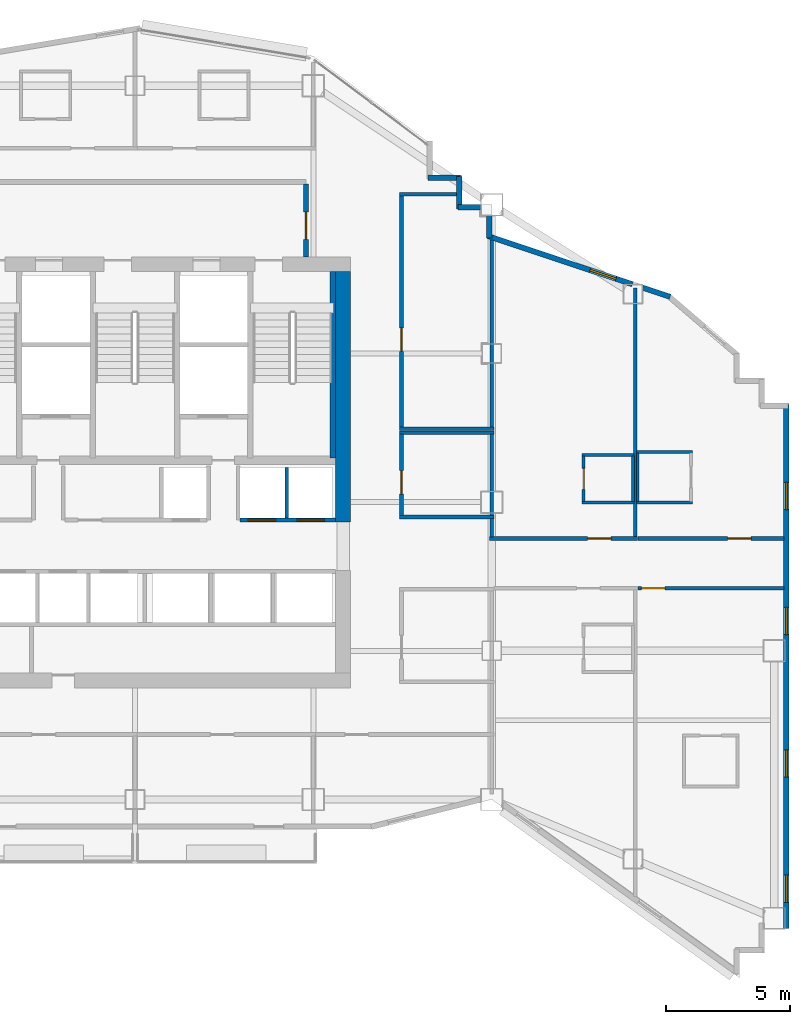
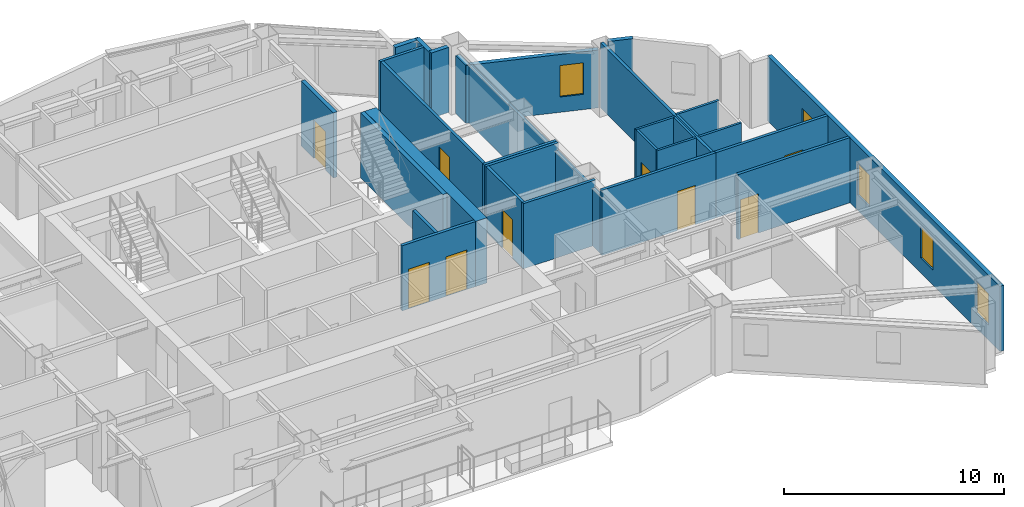
# One storey, part 8 of 12: 32 walls, 9 doors, 5 windows, 14 openings.
"""IFC4 building model written with IfcOpenShell, lengths in metres."""

from ifc_helpers import new_model, si_unit, direction, frame, frame_2d, origin, place, context, subcontext, project, spatial, rectangle, extrude, material, layer, layer_set, type_object, element, fill, save


model = new_model("IFC4")

# Units and contexts
model_context = context("Model", 3, precision=1e-05, world=origin(), true_north=direction((0.0, 1.0)))
body_context = subcontext(model_context, "Body", "Model", "MODEL_VIEW")
ifc_project = project(units=[si_unit("LENGTHUNIT", "METRE"), si_unit("AREAUNIT", "SQUARE_METRE"), si_unit("VOLUMEUNIT", "CUBIC_METRE"), si_unit("PLANEANGLEUNIT", "RADIAN"), si_unit("MASSUNIT", "GRAM", prefix="KILO")], contexts=[model_context])

# Site, building, storey
site_placement = place(None, origin())
site = spatial("IfcSite", under=ifc_project, at=site_placement, CompositionType="ELEMENT")
building_placement = place(site_placement, origin())
building = spatial("IfcBuilding", under=site, at=building_placement, Name="Haolan Belvedere Tower", CompositionType="ELEMENT")
storey_placement = place(building_placement, frame((0.0, 0.0, 169.0)))
storey = spatial("IfcBuildingStorey", under=building, at=storey_placement, Name="L42", CompositionType="ELEMENT", Elevation=169.0)

# Wall
ifc_material_1 = material(Name="Concrete C60/75", Category="concrete")
ifc_layer_1 = layer(ifc_material_1, 0.60009765625, Name="Concrete C60/75")
ifc_layer_set_1 = layer_set([ifc_layer_1], Name="Concrete C60/75")
wall_type_1 = type_object("IfcWallType", Name="WL-CORE-600", PredefinedType="SHEAR", material=ifc_layer_set_1)
wall_1_placement = place(storey_placement, frame((46.800048828125, 32.800048828125, 0.0), z_axis=(0.0, 0.0, 1.0), x_axis=(0.0, 1.0, 0.0)))
element("IfcWall", 1, at=wall_1_placement, inside=storey, type_object=wall_type_1, Name="L42 central core shear wall EN", PredefinedType="SHEAR", context=body_context, shape_type="SweptSolid", body=[
    extrude(rectangle(XDim=10.099853515625, YDim=0.60009765625, at=frame_2d((5.0498046875, 0.0))), origin(), (0.0, 0.0, 1.0), 3.6201171875),
])

# Wall, openings, windows
ifc_material_2 = material(Name="Precast concrete C40/50", Category="concrete")
ifc_layer_2 = layer(ifc_material_2, 0.219970703125, Name="Precast concrete C40/50")
ifc_layer_set_2 = layer_set([ifc_layer_2], Name="Precast concrete C40/50")
wall_type_2 = type_object("IfcWallType", Name="WL-EXT-220", PredefinedType="SOLIDWALL", material=ifc_layer_set_2)
wall_2_placement = place(storey_placement, frame((64.68994140625, 16.39990234375, 0.0), z_axis=(0.0, 0.0, 1.0), x_axis=(0.0, 1.0, 0.0)))
wall_2 = element("IfcWall", 2, at=wall_2_placement, inside=storey, type_object=wall_type_2, Name="L42 pale-metal exterior spandrel wall 8.1", PredefinedType="SOLIDWALL", context=body_context, shape_type="SweptSolid", body=[
    extrude(rectangle(XDim=21.14501953125, YDim=0.219970703125, at=frame_2d((10.572509765625, 0.0))), origin(), (0.0, 0.0, 1.0), 3.6201171875),
])
opening_1_placement = place(wall_2_placement, frame((1.050048828125, 0.0, 0.85009765625)))
opening_1 = element("IfcOpeningElement", 3, at=opening_1_placement, cuts=wall_2, Name="Opening W-03", PredefinedType="OPENING", context=body_context, shape_type="SweptSolid", body=[
    extrude(rectangle(XDim=1.10009765625, YDim=1.75, at=frame_2d((0.550048828125, 0.875))), frame((0.0, 0.119873046875, 0.0), z_axis=(0.0, -1.0, 0.0), x_axis=(1.0, 0.0, 0.0)), (0.0, 0.0, 1.0), 0.239990234375),
])
opening_2_placement = place(wall_2_placement, frame((6.10009765625, 0.0, 0.85009765625)))
opening_2 = element("IfcOpeningElement", 4, at=opening_2_placement, cuts=wall_2, Name="Opening W-03", PredefinedType="OPENING", context=body_context, shape_type="SweptSolid", body=[
    extrude(rectangle(XDim=1.10009765625, YDim=1.75, at=frame_2d((0.550048828125, 0.875))), frame((0.0, 0.119873046875, 0.0), z_axis=(0.0, -1.0, 0.0), x_axis=(1.0, 0.0, 0.0)), (0.0, 0.0, 1.0), 0.239990234375),
])
opening_3_placement = place(wall_2_placement, frame((11.85009765625, 0.0, 0.85009765625)))
opening_3 = element("IfcOpeningElement", 5, at=opening_3_placement, cuts=wall_2, Name="Opening W-03", PredefinedType="OPENING", context=body_context, shape_type="SweptSolid", body=[
    extrude(rectangle(XDim=1.10009765625, YDim=1.75, at=frame_2d((0.550048828125, 0.875))), frame((0.0, 0.119873046875, 0.0), z_axis=(0.0, -1.0, 0.0), x_axis=(1.0, 0.0, 0.0)), (0.0, 0.0, 1.0), 0.239990234375),
])
opening_4_placement = place(wall_2_placement, frame((16.89990234375, 0.0, 0.85009765625)))
opening_4 = element("IfcOpeningElement", 6, at=opening_4_placement, cuts=wall_2, Name="Opening W-03", PredefinedType="OPENING", context=body_context, shape_type="SweptSolid", body=[
    extrude(rectangle(XDim=1.10009765625, YDim=1.75, at=frame_2d((0.550048828125, 0.875))), frame((0.0, 0.119873046875, 0.0), z_axis=(0.0, -1.0, 0.0), x_axis=(1.0, 0.0, 0.0)), (0.0, 0.0, 1.0), 0.239990234375),
])
ifc_material_3 = material(Name="Anodised aluminium 6063-T6 and Low-E glass", Category="aluminium")
window_type = type_object("IfcWindowType", Name="WN-DECO-Z3", PartitioningType="SINGLE_PANEL", PredefinedType="WINDOW", material=ifc_material_3)
window_1_placement = place(opening_1_placement, origin())
window_1 = element("IfcWindow", 7, at=window_1_placement, inside=storey, type_object=window_type, Name="L42 Art Deco chevron window 1", OverallHeight=1.75, OverallWidth=1.10009765625, PartitioningType="SINGLE_PANEL", PredefinedType="WINDOW", context=body_context, shape_type="SweptSolid", body=[
    extrude(rectangle(XDim=1.10009765625, YDim=1.75, at=frame_2d((0.550048828125, 0.875))), frame((0.0, 0.030029296875, 0.0), z_axis=(0.0, -1.0, 0.0), x_axis=(1.0, 0.0, 0.0)), (0.0, 0.0, 1.0), 0.06005859375),
])
fill(opening_1, window_1)
window_2_placement = place(opening_2_placement, origin())
window_2 = element("IfcWindow", 8, at=window_2_placement, inside=storey, type_object=window_type, Name="L42 Art Deco chevron window 2", OverallHeight=1.75, OverallWidth=1.10009765625, PartitioningType="SINGLE_PANEL", PredefinedType="WINDOW", context=body_context, shape_type="SweptSolid", body=[
    extrude(rectangle(XDim=1.10009765625, YDim=1.75, at=frame_2d((0.550048828125, 0.875))), frame((0.0, 0.030029296875, 0.0), z_axis=(0.0, -1.0, 0.0), x_axis=(1.0, 0.0, 0.0)), (0.0, 0.0, 1.0), 0.06005859375),
])
fill(opening_2, window_2)
window_3_placement = place(opening_3_placement, origin())
window_3 = element("IfcWindow", 9, at=window_3_placement, inside=storey, type_object=window_type, Name="L42 Art Deco chevron window 3", OverallHeight=1.75, OverallWidth=1.10009765625, PartitioningType="SINGLE_PANEL", PredefinedType="WINDOW", context=body_context, shape_type="SweptSolid", body=[
    extrude(rectangle(XDim=1.10009765625, YDim=1.75, at=frame_2d((0.550048828125, 0.875))), frame((0.0, 0.030029296875, 0.0), z_axis=(0.0, -1.0, 0.0), x_axis=(1.0, 0.0, 0.0)), (0.0, 0.0, 1.0), 0.06005859375),
])
fill(opening_3, window_3)
window_4_placement = place(opening_4_placement, origin())
window_4 = element("IfcWindow", 10, at=window_4_placement, inside=storey, type_object=window_type, Name="L42 Art Deco chevron window 4", OverallHeight=1.75, OverallWidth=1.10009765625, PartitioningType="SINGLE_PANEL", PredefinedType="WINDOW", context=body_context, shape_type="SweptSolid", body=[
    extrude(rectangle(XDim=1.10009765625, YDim=1.75, at=frame_2d((0.550048828125, 0.875))), frame((0.0, 0.030029296875, 0.0), z_axis=(0.0, -1.0, 0.0), x_axis=(1.0, 0.0, 0.0)), (0.0, 0.0, 1.0), 0.06005859375),
])
fill(opening_4, window_4)

# Wall
wall_3_placement = place(storey_placement, frame((59.9970703125, 41.885009765625, 0.0), z_axis=(0.0, 0.0, 1.0), x_axis=(-0.948662335685, 0.316290646166, 0.0)))
element("IfcWall", 11, at=wall_3_placement, inside=storey, type_object=wall_type_2, Name="L42 pale-metal exterior spandrel wall 14.1", PredefinedType="SOLIDWALL", context=body_context, shape_type="SweptSolid", body=[
    extrude(rectangle(XDim=1.164794921875, YDim=0.219970703125, at=frame_2d((0.58251953125, 0.0))), origin(), (0.0, 0.0, 1.0), 3.6201171875),
])

# Wall, opening, window
wall_4_placement = place(storey_placement, frame((58.476318359375, 42.39208984375, 0.0), z_axis=(0.0, 0.0, 1.0), x_axis=(-0.948691231611, 0.316203964339, 0.0)))
wall_4 = element("IfcWall", 12, at=wall_4_placement, inside=storey, type_object=wall_type_2, Name="L42 pale-metal exterior spandrel wall 14.2", PredefinedType="SOLIDWALL", context=body_context, shape_type="SweptSolid", body=[
    extrude(rectangle(XDim=6.154296875, YDim=0.219970703125, at=frame_2d((3.0771484375, 0.0))), origin(), (0.0, 0.0, 1.0), 3.215087890625),
])
opening_5_placement = place(wall_4_placement, frame((0.699951171875, 0.0, 0.85009765625)))
opening_5 = element("IfcOpeningElement", 13, at=opening_5_placement, cuts=wall_4, Name="Opening W-03", PredefinedType="OPENING", context=body_context, shape_type="SweptSolid", body=[
    extrude(rectangle(XDim=1.10009765625, YDim=1.75, at=frame_2d((0.550048828125, 0.875))), frame((0.0, 0.119873046875, 0.0), z_axis=(0.0, -1.0, 0.0), x_axis=(1.0, 0.0, 0.0)), (0.0, 0.0, 1.0), 0.239990234375),
])
window_5_placement = place(opening_5_placement, origin())
window_5 = element("IfcWindow", 14, at=window_5_placement, inside=storey, type_object=window_type, Name="L42 Art Deco chevron window 1", OverallHeight=1.75, OverallWidth=1.10009765625, PartitioningType="SINGLE_PANEL", PredefinedType="WINDOW", context=body_context, shape_type="SweptSolid", body=[
    extrude(rectangle(XDim=1.10009765625, YDim=1.75, at=frame_2d((0.550048828125, 0.875))), frame((0.0, 0.030029296875, 0.0), z_axis=(0.0, -1.0, 0.0), x_axis=(1.0, 0.0, 0.0)), (0.0, 0.0, 1.0), 0.06005859375),
])
fill(opening_5, window_5)

# Walls
wall_5_placement = place(storey_placement, frame((52.68994140625, 44.265625, 0.0), z_axis=(0.0, 0.0, 1.0), x_axis=(0.0, 1.0, 0.0)))
element("IfcWall", 15, at=wall_5_placement, inside=storey, type_object=wall_type_2, Name="L42 pale-metal exterior spandrel wall 15.1", PredefinedType="SOLIDWALL", context=body_context, shape_type="SweptSolid", body=[
    extrude(rectangle(XDim=0.892333984375, YDim=0.219970703125, at=frame_2d((0.4462890625, 0.0))), origin(), (0.0, 0.0, 1.0), 3.215087890625),
])
wall_6_placement = place(storey_placement, frame((52.35791015625, 45.489990234375, 0.0), z_axis=(0.0, 0.0, 1.0), x_axis=(-1.0, 0.0, 0.0)))
element("IfcWall", 16, at=wall_6_placement, inside=storey, type_object=wall_type_2, Name="L42 pale-metal exterior spandrel wall 16.1", PredefinedType="SOLIDWALL", context=body_context, shape_type="SweptSolid", body=[
    extrude(rectangle(XDim=0.9228515625, YDim=0.219970703125, at=frame_2d((0.46142578125, 0.0))), origin(), (0.0, 0.0, 1.0), 3.6201171875),
])
wall_7_placement = place(storey_placement, frame((51.489990234375, 45.43505859375, 0.0), z_axis=(0.0, 0.0, 1.0), x_axis=(0.0, 1.0, 0.0)))
element("IfcWall", 17, at=wall_7_placement, inside=storey, type_object=wall_type_2, Name="L42 pale-metal exterior spandrel wall 17.1", PredefinedType="SOLIDWALL", context=body_context, shape_type="SweptSolid", body=[
    extrude(rectangle(XDim=1.31005859375, YDim=0.219970703125, at=frame_2d((0.655029296875, 0.0))), origin(), (0.0, 0.0, 1.0), 3.6201171875),
])
wall_8_placement = place(storey_placement, frame((51.544921875, 46.68994140625, 0.0), z_axis=(0.0, 0.0, 1.0), x_axis=(-1.0, 0.0, 0.0)))
element("IfcWall", 18, at=wall_8_placement, inside=storey, type_object=wall_type_2, Name="L42 pale-metal exterior spandrel wall 18.1", PredefinedType="SOLIDWALL", context=body_context, shape_type="SweptSolid", body=[
    extrude(rectangle(XDim=1.309814453125, YDim=0.219970703125, at=frame_2d((0.65478515625, 0.0))), origin(), (0.0, 0.0, 1.0), 3.6201171875),
])

# Wall, opening, door
ifc_material_4 = material(Name="Concrete C40/50", Category="concrete")
ifc_layer_3 = layer(ifc_material_4, 0.199951171875, Name="Concrete C40/50")
ifc_layer_set_3 = layer_set([ifc_layer_3], Name="Concrete C40/50")
wall_type_3 = type_object("IfcWallType", Name="WL-FIRE-200", PredefinedType="SOLIDWALL", material=ifc_layer_set_3)
wall_9_placement = place(storey_placement, frame((45.300048828125, 43.5, 0.0), z_axis=(0.0, 0.0, 1.0), x_axis=(0.0, 1.0, 0.0)))
wall_9 = element("IfcWall", 19, at=wall_9_placement, inside=storey, type_object=wall_type_3, Name="L42 interior partition IW-L42-FFL-E", PredefinedType="SOLIDWALL", context=body_context, shape_type="SweptSolid", body=[
    extrude(rectangle(XDim=2.93505859375, YDim=0.199951171875, at=frame_2d((1.467529296875, 0.0))), origin(), (0.0, 0.0, 1.0), 3.6201171875),
])
opening_6_placement = place(wall_9_placement, frame((0.699951171875, 0.0, 0.0)))
opening_6 = element("IfcOpeningElement", 20, at=opening_6_placement, cuts=wall_9, Name="Opening FD-03", PredefinedType="OPENING", context=body_context, shape_type="SweptSolid", body=[
    extrude(rectangle(XDim=1.10009765625, YDim=2.14990234375, at=frame_2d((0.550048828125, 1.074951171875))), frame((0.0, 0.10986328125, 0.0), z_axis=(0.0, -1.0, 0.0), x_axis=(1.0, 0.0, 0.0)), (0.0, 0.0, 1.0), 0.219970703125),
])
ifc_material_5 = material(Name="Galvanised fire-rated steel", Category="steel")
door_type_1 = type_object("IfcDoorType", Name="DR-FD90-1100", OperationType="NOTDEFINED", PredefinedType="DOOR", material=ifc_material_5)
door_1_placement = place(opening_6_placement, origin())
door_1 = element("IfcDoor", 21, at=door_1_placement, inside=storey, type_object=door_type_1, Name="L42 door ID-L42-FFL-DE", OperationType="SINGLE_SWING_RIGHT", OverallHeight=2.14990234375, OverallWidth=1.10009765625, PredefinedType="DOOR", context=body_context, shape_type="SweptSolid", body=[
    extrude(rectangle(XDim=1.10009765625, YDim=2.14990234375, at=frame_2d((0.550048828125, 1.074951171875))), frame((0.0, 0.02490234375, 0.0), z_axis=(0.0, -1.0, 0.0), x_axis=(1.0, 0.0, 0.0)), (0.0, 0.0, 1.0), 0.050048828125),
])
fill(opening_6, door_1)

# Walls
ifc_material_6 = material(Name="Double gypsum acoustic stud partition", Category="masonry")
ifc_layer_4 = layer(ifc_material_6, 0.14990234375, Name="Double gypsum acoustic stud partition")
ifc_layer_set_4 = layer_set([ifc_layer_4], Name="Double gypsum acoustic stud partition")
wall_type_4 = type_object("IfcWallType", Name="WL-PART-150", PredefinedType="PARTITIONING", material=ifc_layer_set_4)
for number, where, z_axis, x_axis, name in (
    (22, (49.080078125, 36.39990234375, 0.0), (0.0, 0.0, 1.0), (1.0, 0.0, 0.0), "L42 interior partition IW-L42-AWC-N"),
    (23, (49.080078125, 33.0, 0.0), (0.0, 0.0, 1.0), (1.0, 0.0, 0.0), "L42 interior partition IW-L42-AWC-S"),
):
    element("IfcWall", number, at=place(storey_placement, frame(where, z_axis=z_axis, x_axis=x_axis)), inside=storey, type_object=wall_type_4, Name=name, PredefinedType="PARTITIONING", context=body_context, shape_type="SweptSolid", body=[
        extrude(rectangle(XDim=3.7998046875, YDim=0.14990234375, at=frame_2d((1.89990234375, 0.0))), origin(), (0.0, 0.0, 1.0), 3.6201171875),
    ])

# Wall, opening, door
wall_10_placement = place(storey_placement, frame((49.159912109375, 33.06005859375, 0.0), z_axis=(0.0, 0.0, 1.0), x_axis=(0.0, 1.0, 0.0)))
wall_10 = element("IfcWall", 24, at=wall_10_placement, inside=storey, type_object=wall_type_4, Name="L42 interior partition IW-L42-AWC-W", PredefinedType="PARTITIONING", context=body_context, shape_type="SweptSolid", body=[
    extrude(rectangle(XDim=3.280029296875, YDim=0.14990234375, at=frame_2d((1.64013671875, 0.0))), origin(), (0.0, 0.0, 1.0), 3.6201171875),
])
opening_7_placement = place(wall_10_placement, frame((0.860107421875, 0.0, 0.0)))
opening_7 = element("IfcOpeningElement", 25, at=opening_7_placement, cuts=wall_10, Name="Opening ID-03", PredefinedType="OPENING", context=body_context, shape_type="SweptSolid", body=[
    extrude(rectangle(XDim=0.949951171875, YDim=2.1201171875, at=frame_2d((0.47509765625, 1.06005859375))), frame((0.0, 0.0849609375, 0.0), z_axis=(0.0, -1.0, 0.0), x_axis=(1.0, 0.0, 0.0)), (0.0, 0.0, 1.0), 0.169921875),
])
ifc_material_7 = material(Name="Painted solid-core timber", Category="wood")
door_type_2 = type_object("IfcDoorType", Name="DR-INT-950", OperationType="NOTDEFINED", PredefinedType="DOOR", material=ifc_material_7)
door_2_placement = place(opening_7_placement, origin())
door_2 = element("IfcDoor", 26, at=door_2_placement, inside=storey, type_object=door_type_2, Name="L42 door ID-L42-AWC", OperationType="SINGLE_SWING_RIGHT", OverallHeight=2.1201171875, OverallWidth=0.949951171875, PredefinedType="DOOR", context=body_context, shape_type="SweptSolid", body=[
    extrude(rectangle(XDim=0.949951171875, YDim=2.1201171875, at=frame_2d((0.47509765625, 1.06005859375))), frame((0.0, 0.02490234375, 0.0), z_axis=(0.0, -1.0, 0.0), x_axis=(1.0, 0.0, 0.0)), (0.0, 0.0, 1.0), 0.050048828125),
])
fill(opening_7, door_2)

# Walls
wall_11_placement = place(storey_placement, frame((52.800048828125, 33.06005859375, 0.0), z_axis=(0.0, 0.0, 1.0), x_axis=(0.0, 1.0, 0.0)))
element("IfcWall", 27, at=wall_11_placement, inside=storey, type_object=wall_type_4, Name="L42 interior partition IW-L42-AWC-E", PredefinedType="PARTITIONING", context=body_context, shape_type="SweptSolid", body=[
    extrude(rectangle(XDim=3.280029296875, YDim=0.14990234375, at=frame_2d((1.64013671875, 0.0))), origin(), (0.0, 0.0, 1.0), 3.215087890625),
])
wall_12_placement = place(storey_placement, frame((49.080078125, 46.02001953125, 0.0), z_axis=(0.0, 0.0, 1.0), x_axis=(1.0, 0.0, 0.0)))
element("IfcWall", 28, at=wall_12_placement, inside=storey, type_object=wall_type_4, Name="L42 interior partition IW-L42-SAL-N", PredefinedType="PARTITIONING", context=body_context, shape_type="SweptSolid", body=[
    extrude(rectangle(XDim=2.307861328125, YDim=0.14990234375, at=frame_2d((1.15380859375, 0.0))), origin(), (0.0, 0.0, 1.0), 3.6201171875),
])
wall_13_placement = place(storey_placement, frame((49.080078125, 36.56005859375, 0.0), z_axis=(0.0, 0.0, 1.0), x_axis=(1.0, 0.0, 0.0)))
element("IfcWall", 29, at=wall_13_placement, inside=storey, type_object=wall_type_4, Name="L42 interior partition IW-L42-SAL-S", PredefinedType="PARTITIONING", context=body_context, shape_type="SweptSolid", body=[
    extrude(rectangle(XDim=3.7998046875, YDim=0.14990234375, at=frame_2d((1.89990234375, 0.0))), origin(), (0.0, 0.0, 1.0), 3.6201171875),
])

# Wall, opening, door
wall_14_placement = place(storey_placement, frame((49.159912109375, 36.6201171875, 0.0), z_axis=(0.0, 0.0, 1.0), x_axis=(0.0, 1.0, 0.0)))
wall_14 = element("IfcWall", 30, at=wall_14_placement, inside=storey, type_object=wall_type_4, Name="L42 interior partition IW-L42-SAL-W", PredefinedType="PARTITIONING", context=body_context, shape_type="SweptSolid", body=[
    extrude(rectangle(XDim=9.33984375, YDim=0.14990234375, at=frame_2d((4.669921875, 0.0))), origin(), (0.0, 0.0, 1.0), 3.6201171875),
])
opening_8_placement = place(wall_14_placement, frame((3.06005859375, 0.0, 0.0)))
opening_8 = element("IfcOpeningElement", 31, at=opening_8_placement, cuts=wall_14, Name="Opening ID-03", PredefinedType="OPENING", context=body_context, shape_type="SweptSolid", body=[
    extrude(rectangle(XDim=0.949951171875, YDim=2.1201171875, at=frame_2d((0.47509765625, 1.06005859375))), frame((0.0, 0.0849609375, 0.0), z_axis=(0.0, -1.0, 0.0), x_axis=(1.0, 0.0, 0.0)), (0.0, 0.0, 1.0), 0.169921875),
])
door_3_placement = place(opening_8_placement, origin())
door_3 = element("IfcDoor", 32, at=door_3_placement, inside=storey, type_object=door_type_2, Name="L42 door ID-L42-SAL", OperationType="SINGLE_SWING_LEFT", OverallHeight=2.1201171875, OverallWidth=0.949951171875, PredefinedType="DOOR", context=body_context, shape_type="SweptSolid", body=[
    extrude(rectangle(XDim=0.949951171875, YDim=2.1201171875, at=frame_2d((0.47509765625, 1.06005859375))), frame((0.0, 0.02490234375, 0.0), z_axis=(0.0, -1.0, 0.0), x_axis=(1.0, 0.0, 0.0)), (0.0, 0.0, 1.0), 0.050048828125),
])
fill(opening_8, door_3)

# Wall
wall_15_placement = place(storey_placement, frame((52.800048828125, 36.6201171875, 0.0), z_axis=(0.0, 0.0, 1.0), x_axis=(0.0, 1.0, 0.0)))
element("IfcWall", 33, at=wall_15_placement, inside=storey, type_object=wall_type_4, Name="L42 interior partition IW-L42-SAL-E", PredefinedType="PARTITIONING", context=body_context, shape_type="SweptSolid", body=[
    extrude(rectangle(XDim=7.556396484375, YDim=0.14990234375, at=frame_2d((3.7783203125, 0.0))), origin(), (0.0, 0.0, 1.0), 3.215087890625),
])

# Wall, opening, door
wall_16_placement = place(storey_placement, frame((52.699951171875, 32.1298828125, 0.0), z_axis=(0.0, 0.0, 1.0), x_axis=(1.0, 0.0, 0.0)))
wall_16 = element("IfcWall", 34, at=wall_16_placement, inside=storey, type_object=wall_type_4, Name="L42 interior partition IW-L42-T4N1-S", PredefinedType="PARTITIONING", context=body_context, shape_type="SweptSolid", body=[
    extrude(rectangle(XDim=5.989990234375, YDim=0.14990234375, at=frame_2d((2.9951171875, 0.0))), origin(), (0.0, 0.0, 1.0), 3.6201171875),
])
opening_9_placement = place(wall_16_placement, frame((3.968505859375, 0.0, 0.0)))
opening_9 = element("IfcOpeningElement", 35, at=opening_9_placement, cuts=wall_16, Name="Opening ID-01", PredefinedType="OPENING", context=body_context, shape_type="SweptSolid", body=[
    extrude(rectangle(XDim=0.949951171875, YDim=2.179931640625, at=frame_2d((0.47509765625, 1.08984375))), frame((0.0, 0.0849609375, 0.0), z_axis=(0.0, -1.0, 0.0), x_axis=(1.0, 0.0, 0.0)), (0.0, 0.0, 1.0), 0.169921875),
])
ifc_material_8 = material(Name="Acoustic walnut veneer fire-rated timber", Category="wood")
door_type_3 = type_object("IfcDoorType", Name="DR-SUITE-950", OperationType="NOTDEFINED", PredefinedType="DOOR", material=ifc_material_8)
door_4_placement = place(opening_9_placement, origin())
door_4 = element("IfcDoor", 36, at=door_4_placement, inside=storey, type_object=door_type_3, Name="L42 door ID-L42-T4N1-ENT", OperationType="SINGLE_SWING_RIGHT", OverallHeight=2.179931640625, OverallWidth=0.949951171875, PredefinedType="DOOR", context=body_context, shape_type="SweptSolid", body=[
    extrude(rectangle(XDim=0.949951171875, YDim=2.179931640625, at=frame_2d((0.47509765625, 1.08984375))), frame((0.0, 0.02490234375, 0.0), z_axis=(0.0, -1.0, 0.0), x_axis=(1.0, 0.0, 0.0)), (0.0, 0.0, 1.0), 0.050048828125),
])
fill(opening_9, door_4)

# Walls
wall_17_placement = place(storey_placement, frame((52.800048828125, 32.18994140625, 0.0), z_axis=(0.0, 0.0, 1.0), x_axis=(0.0, 1.0, 0.0)))
element("IfcWall", 37, at=wall_17_placement, inside=storey, type_object=wall_type_4, Name="L42 interior partition IW-L42-T4N1-W", PredefinedType="PARTITIONING", context=body_context, shape_type="SweptSolid", body=[
    extrude(rectangle(XDim=0.75, YDim=0.14990234375, at=frame_2d((0.375, 0.0))), origin(), (0.0, 0.0, 1.0), 3.215087890625),
])
wall_18_placement = place(storey_placement, frame((58.590087890625, 32.18994140625, 0.0), z_axis=(0.0, 0.0, 1.0), x_axis=(0.0, 1.0, 0.0)))
element("IfcWall", 38, at=wall_18_placement, inside=storey, type_object=wall_type_4, Name="L42 interior partition IW-L42-T4N1-E", PredefinedType="PARTITIONING", context=body_context, shape_type="SweptSolid", body=[
    extrude(rectangle(XDim=10.056640625, YDim=0.14990234375, at=frame_2d((5.0283203125, 0.0))), origin(), (0.0, 0.0, 1.0), 3.6201171875),
])

# Wall, opening, door
wall_19_placement = place(storey_placement, frame((58.69189453125, 32.1298828125, 0.0), z_axis=(0.0, 0.0, 1.0), x_axis=(1.0, 0.0, 0.0)))
wall_19 = element("IfcWall", 39, at=wall_19_placement, inside=storey, type_object=wall_type_4, Name="L42 interior partition IW-L42-T4N2-S", PredefinedType="PARTITIONING", context=body_context, shape_type="SweptSolid", body=[
    extrude(rectangle(XDim=5.89599609375, YDim=0.14990234375, at=frame_2d((2.947998046875, 0.0))), origin(), (0.0, 0.0, 1.0), 3.6201171875),
])
opening_10_placement = place(wall_19_placement, frame((3.62158203125, 0.0, 0.0)))
opening_10 = element("IfcOpeningElement", 40, at=opening_10_placement, cuts=wall_19, Name="Opening ID-01", PredefinedType="OPENING", context=body_context, shape_type="SweptSolid", body=[
    extrude(rectangle(XDim=0.949951171875, YDim=2.179931640625, at=frame_2d((0.47509765625, 1.08984375))), frame((0.0, 0.0849609375, 0.0), z_axis=(0.0, -1.0, 0.0), x_axis=(1.0, 0.0, 0.0)), (0.0, 0.0, 1.0), 0.169921875),
])
door_5_placement = place(opening_10_placement, origin())
door_5 = element("IfcDoor", 41, at=door_5_placement, inside=storey, type_object=door_type_3, Name="L42 door ID-L42-T4N2-ENT", OperationType="SINGLE_SWING_LEFT", OverallHeight=2.179931640625, OverallWidth=0.949951171875, PredefinedType="DOOR", context=body_context, shape_type="SweptSolid", body=[
    extrude(rectangle(XDim=0.949951171875, YDim=2.179931640625, at=frame_2d((0.47509765625, 1.08984375))), frame((0.0, 0.02490234375, 0.0), z_axis=(0.0, -1.0, 0.0), x_axis=(1.0, 0.0, 0.0)), (0.0, 0.0, 1.0), 0.050048828125),
])
fill(opening_10, door_5)

wall_20_placement = place(storey_placement, frame((58.69189453125, 30.1201171875, 0.0), z_axis=(0.0, 0.0, 1.0), x_axis=(1.0, 0.0, 0.0)))
wall_20 = element("IfcWall", 42, at=wall_20_placement, inside=storey, type_object=wall_type_4, Name="L42 interior partition IW-L42-T4S2-N", PredefinedType="PARTITIONING", context=body_context, shape_type="SweptSolid", body=[
    extrude(rectangle(XDim=5.89599609375, YDim=0.14990234375, at=frame_2d((2.947998046875, 0.0))), origin(), (0.0, 0.0, 1.0), 3.6201171875),
])
opening_11_placement = place(wall_20_placement, frame((1.08984375, 0.0, 0.0), z_axis=(0.0, 0.0, 1.0), x_axis=(-1.0, 0.0, 0.0)))
opening_11 = element("IfcOpeningElement", 43, at=opening_11_placement, cuts=wall_20, Name="Opening ID-01", PredefinedType="OPENING", context=body_context, shape_type="SweptSolid", body=[
    extrude(rectangle(XDim=0.949951171875, YDim=2.179931640625, at=frame_2d((0.47509765625, 1.08984375))), frame((0.0, 0.0849609375, 0.0), z_axis=(0.0, -1.0, 0.0), x_axis=(1.0, 0.0, 0.0)), (0.0, 0.0, 1.0), 0.169921875),
])
door_6_placement = place(opening_11_placement, origin())
door_6 = element("IfcDoor", 44, at=door_6_placement, inside=storey, type_object=door_type_3, Name="L42 door ID-L42-T4S2-ENT", OperationType="SINGLE_SWING_LEFT", OverallHeight=2.179931640625, OverallWidth=0.949951171875, PredefinedType="DOOR", context=body_context, shape_type="SweptSolid", body=[
    extrude(rectangle(XDim=0.949951171875, YDim=2.179931640625, at=frame_2d((0.47509765625, 1.08984375))), frame((0.0, 0.02490234375, 0.0), z_axis=(0.0, -1.0, 0.0), x_axis=(1.0, 0.0, 0.0)), (0.0, 0.0, 1.0), 0.050048828125),
])
fill(opening_11, door_6)

# Wall, openings, doors
ifc_material_9 = material(Name="Gypsum fire shaftwall assembly", Category="masonry")
ifc_layer_5 = layer(ifc_material_9, 0.1650390625, Name="Gypsum fire shaftwall assembly")
ifc_layer_set_5 = layer_set([ifc_layer_5], Name="Gypsum fire shaftwall assembly")
wall_type_5 = type_object("IfcWallType", Name="WL-SHAFT-160", PredefinedType="SOLIDWALL", material=ifc_layer_set_5)
wall_21_placement = place(storey_placement, frame((42.6298828125, 32.8798828125, 0.0), z_axis=(0.0, 0.0, 1.0), x_axis=(1.0, 0.0, 0.0)))
wall_21 = element("IfcWall", 45, at=wall_21_placement, inside=storey, type_object=wall_type_5, Name="L42 interior partition IW-L42-ROW-PN3", PredefinedType="SOLIDWALL", context=body_context, shape_type="SweptSolid", body=[
    extrude(rectangle(XDim=3.8701171875, YDim=0.159912109375, at=frame_2d((1.93505859375, 0.0))), origin(), (0.0, 0.0, 1.0), 3.6201171875),
])
opening_12_placement = place(wall_21_placement, frame((1.4501953125, 0.0, 0.0), z_axis=(0.0, 0.0, 1.0), x_axis=(-1.0, 0.0, 0.0)))
opening_12 = element("IfcOpeningElement", 46, at=opening_12_placement, cuts=wall_21, Name="Opening LD-01", PredefinedType="OPENING", context=body_context, shape_type="SweptSolid", body=[
    extrude(rectangle(XDim=1.10009765625, YDim=2.199951171875, at=frame_2d((0.550048828125, 1.10009765625))), frame((0.0, 0.08984375, 0.0), z_axis=(0.0, -1.0, 0.0), x_axis=(1.0, 0.0, 0.0)), (0.0, 0.0, 1.0), 0.179931640625),
])
opening_13_placement = place(wall_21_placement, frame((3.41015625, 0.0, 0.0), z_axis=(0.0, 0.0, 1.0), x_axis=(-1.0, 0.0, 0.0)))
opening_13 = element("IfcOpeningElement", 47, at=opening_13_placement, cuts=wall_21, Name="Opening LD-01", PredefinedType="OPENING", context=body_context, shape_type="SweptSolid", body=[
    extrude(rectangle(XDim=1.10009765625, YDim=2.199951171875, at=frame_2d((0.550048828125, 1.10009765625))), frame((0.0, 0.08984375, 0.0), z_axis=(0.0, -1.0, 0.0), x_axis=(1.0, 0.0, 0.0)), (0.0, 0.0, 1.0), 0.179931640625),
])
ifc_material_10 = material(Name="Brushed champagne stainless steel 316L", Category="steel")
door_type_4 = type_object("IfcDoorType", Name="DR-LIFT-1100", OperationType="SLIDING_TO_LEFT", PredefinedType="DOOR", material=ifc_material_10)
door_7_placement = place(opening_12_placement, origin())
door_7 = element("IfcDoor", 48, at=door_7_placement, inside=storey, type_object=door_type_4, Name="L42 door ID-L42-LD-PH2", OperationType="SLIDING_TO_RIGHT", OverallHeight=2.199951171875, OverallWidth=1.10009765625, PredefinedType="DOOR", context=body_context, shape_type="SweptSolid", body=[
    extrude(rectangle(XDim=1.10009765625, YDim=2.199951171875, at=frame_2d((0.550048828125, 1.10009765625))), frame((0.0, 0.02490234375, 0.0), z_axis=(0.0, -1.0, 0.0), x_axis=(1.0, 0.0, 0.0)), (0.0, 0.0, 1.0), 0.050048828125),
])
fill(opening_12, door_7)
door_8_placement = place(opening_13_placement, origin())
door_8 = element("IfcDoor", 49, at=door_8_placement, inside=storey, type_object=door_type_4, Name="L42 door ID-L42-LD-PH3", OperationType="SLIDING_TO_RIGHT", OverallHeight=2.199951171875, OverallWidth=1.10009765625, PredefinedType="DOOR", context=body_context, shape_type="SweptSolid", body=[
    extrude(rectangle(XDim=1.10009765625, YDim=2.199951171875, at=frame_2d((0.550048828125, 1.10009765625))), frame((0.0, 0.02490234375, 0.0), z_axis=(0.0, -1.0, 0.0), x_axis=(1.0, 0.0, 0.0)), (0.0, 0.0, 1.0), 0.050048828125),
])
fill(opening_13, door_8)

# Walls
wall_22_placement = place(storey_placement, frame((44.530029296875, 32.949951171875, 0.0), z_axis=(0.0, 0.0, 1.0), x_axis=(0.0, 1.0, 0.0)))
element("IfcWall", 50, at=wall_22_placement, inside=storey, type_object=wall_type_5, Name="L42 interior partition IW-L42-DIV-PH2", PredefinedType="SOLIDWALL", context=body_context, shape_type="SweptSolid", body=[
    extrude(rectangle(XDim=2.050048828125, YDim=0.14990234375, at=frame_2d((1.02490234375, 0.0))), origin(), (0.0, 0.0, 1.0), 3.6201171875),
])
ifc_material_11 = material(Name="Concrete C50/60", Category="concrete")
ifc_layer_6 = layer(ifc_material_11, 0.219970703125, Name="Concrete C50/60")
ifc_layer_set_6 = layer_set([ifc_layer_6], Name="Concrete C50/60")
wall_type_6 = type_object("IfcWallType", Name="WL-STAIR-220", PredefinedType="SHEAR", material=ifc_layer_set_6)
wall_23_placement = place(storey_placement, frame((46.387939453125, 35.389892578125, 0.0), z_axis=(0.0, 0.0, 1.0), x_axis=(0.0, 1.0, 0.0)))
element("IfcWall", 51, at=wall_23_placement, inside=storey, type_object=wall_type_6, Name="L42 structural stair core wall ST2E", PredefinedType="SHEAR", context=body_context, shape_type="SweptSolid", body=[
    extrude(rectangle(XDim=7.510009765625, YDim=0.219970703125, at=frame_2d((3.7548828125, 0.0))), origin(), (0.0, 0.0, 1.0), 3.6201171875),
])
ifc_material_12 = material(Name="Moisture-resistant gypsum tile partition", Category="masonry")
ifc_layer_7 = layer(ifc_material_12, 0.1201171875, Name="Moisture-resistant gypsum tile partition")
ifc_layer_set_7 = layer_set([ifc_layer_7], Name="Moisture-resistant gypsum tile partition")
wall_type_7 = type_object("IfcWallType", Name="WL-WET-120", PredefinedType="PARTITIONING", material=ifc_layer_set_7)
for number, where, z_axis, x_axis, name in (
    (52, (56.449951171875, 35.5, 0.0), (0.0, 0.0, 1.0), (1.0, 0.0, 0.0), "L42 interior partition IW-L42-T4N1-BN"),
    (53, (56.449951171875, 33.580078125, 0.0), (0.0, 0.0, 1.0), (1.0, 0.0, 0.0), "L42 interior partition IW-L42-T4N1-BS"),
):
    element("IfcWall", number, at=place(storey_placement, frame(where, z_axis=z_axis, x_axis=x_axis)), inside=storey, type_object=wall_type_7, Name=name, PredefinedType="PARTITIONING", context=body_context, shape_type="SweptSolid", body=[
        extrude(rectangle(XDim=2.080078125, YDim=0.1201171875, at=frame_2d((1.0400390625, 0.0))), origin(), (0.0, 0.0, 1.0), 3.6201171875),
    ])

# Wall, opening, door
wall_24_placement = place(storey_placement, frame((56.510009765625, 33.625, 0.0), z_axis=(0.0, 0.0, 1.0), x_axis=(0.0, 1.0, 0.0)))
wall_24 = element("IfcWall", 54, at=wall_24_placement, inside=storey, type_object=wall_type_7, Name="L42 interior partition IW-L42-T4N1-BW", PredefinedType="PARTITIONING", context=body_context, shape_type="SweptSolid", body=[
    extrude(rectangle(XDim=1.830078125, YDim=0.1201171875, at=frame_2d((0.9150390625, 0.0))), origin(), (0.0, 0.0, 1.0), 3.6201171875),
])
opening_14_placement = place(wall_24_placement, frame((1.340087890625, 0.0, 0.0), z_axis=(0.0, 0.0, 1.0), x_axis=(-1.0, 0.0, 0.0)))
opening_14 = element("IfcOpeningElement", 55, at=opening_14_placement, cuts=wall_24, Name="Opening ID-05", PredefinedType="OPENING", context=body_context, shape_type="SweptSolid", body=[
    extrude(rectangle(XDim=0.85009765625, YDim=2.10009765625, at=frame_2d((0.425048828125, 1.050048828125))), frame((0.0, 0.070068359375, 0.0), z_axis=(0.0, -1.0, 0.0), x_axis=(1.0, 0.0, 0.0)), (0.0, 0.0, 1.0), 0.14013671875),
])
ifc_material_13 = material(Name="Moisture-resistant lacquered timber", Category="wood")
door_type_5 = type_object("IfcDoorType", Name="DR-BATH-850", OperationType="NOTDEFINED", PredefinedType="DOOR", material=ifc_material_13)
door_9_placement = place(opening_14_placement, origin())
door_9 = element("IfcDoor", 56, at=door_9_placement, inside=storey, type_object=door_type_5, Name="L42 door ID-L42-T4N1-BATH", OperationType="SINGLE_SWING_LEFT", OverallHeight=2.10009765625, OverallWidth=0.85009765625, PredefinedType="DOOR", context=body_context, shape_type="SweptSolid", body=[
    extrude(rectangle(XDim=0.85009765625, YDim=2.10009765625, at=frame_2d((0.425048828125, 1.050048828125))), frame((0.0, 0.02490234375, 0.0), z_axis=(0.0, -1.0, 0.0), x_axis=(1.0, 0.0, 0.0)), (0.0, 0.0, 1.0), 0.050048828125),
])
fill(opening_14, door_9)

# Walls
wall_25_placement = place(storey_placement, frame((58.489990234375, 33.625, 0.0), z_axis=(0.0, 0.0, 1.0), x_axis=(0.0, 1.0, 0.0)))
element("IfcWall", 57, at=wall_25_placement, inside=storey, type_object=wall_type_7, Name="L42 interior partition IW-L42-T4N1-BE", PredefinedType="PARTITIONING", context=body_context, shape_type="SweptSolid", body=[
    extrude(rectangle(XDim=1.830078125, YDim=0.1201171875, at=frame_2d((0.9150390625, 0.0))), origin(), (0.0, 0.0, 1.0), 3.6201171875),
])
for number, where, z_axis, x_axis, name in (
    (58, (58.64990234375, 35.6298828125, 0.0), (0.0, 0.0, 1.0), (1.0, 0.0, 0.0), "L42 interior partition IW-L42-T4N2-BN"),
    (59, (58.64990234375, 33.580078125, 0.0), (0.0, 0.0, 1.0), (1.0, 0.0, 0.0), "L42 interior partition IW-L42-T4N2-BS"),
):
    element("IfcWall", number, at=place(storey_placement, frame(where, z_axis=z_axis, x_axis=x_axis)), inside=storey, type_object=wall_type_7, Name=name, PredefinedType="PARTITIONING", context=body_context, shape_type="SweptSolid", body=[
        extrude(rectangle(XDim=2.25, YDim=0.1201171875, at=frame_2d((1.125, 0.0))), origin(), (0.0, 0.0, 1.0), 3.6201171875),
    ])
wall_26_placement = place(storey_placement, frame((58.68994140625, 33.625, 0.0), z_axis=(0.0, 0.0, 1.0), x_axis=(0.0, 1.0, 0.0)))
element("IfcWall", 60, at=wall_26_placement, inside=storey, type_object=wall_type_7, Name="L42 interior partition IW-L42-T4N2-BW", PredefinedType="PARTITIONING", context=body_context, shape_type="SweptSolid", body=[
    extrude(rectangle(XDim=1.9599609375, YDim=0.1201171875, at=frame_2d((0.97998046875, 0.0))), origin(), (0.0, 0.0, 1.0), 3.6201171875),
])

save(model, "model.ifc")
